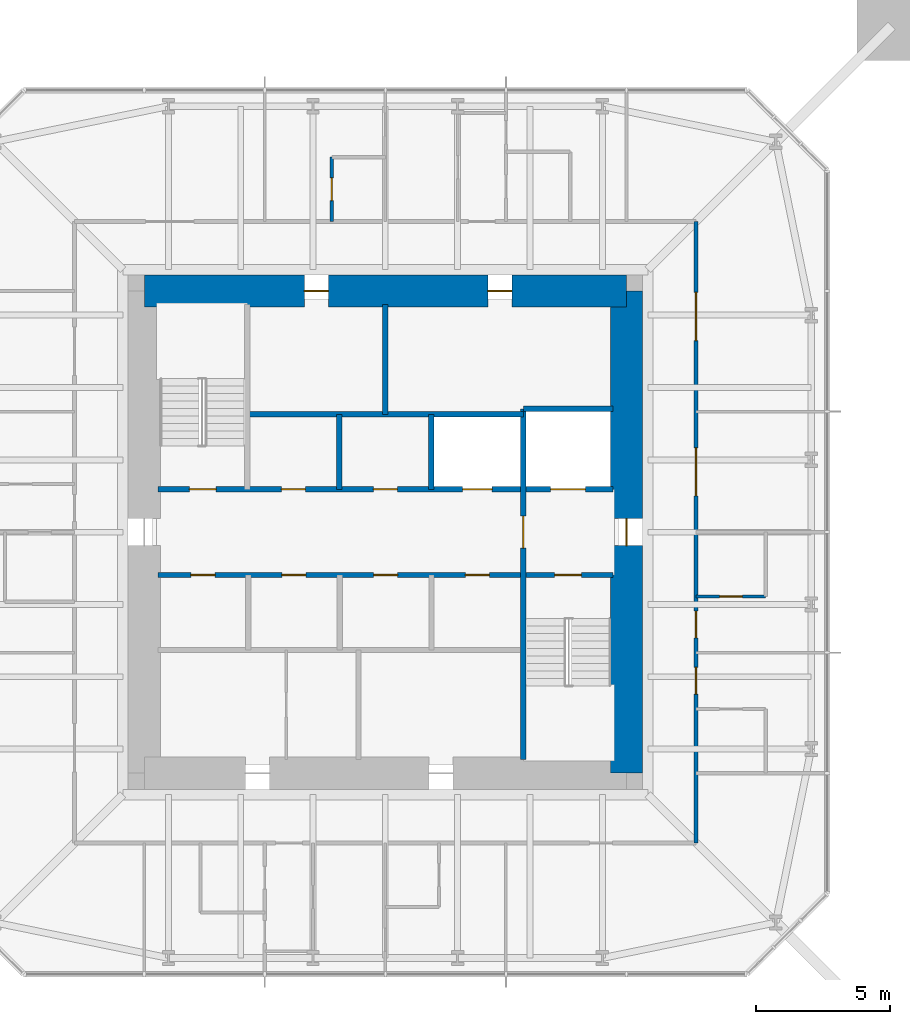
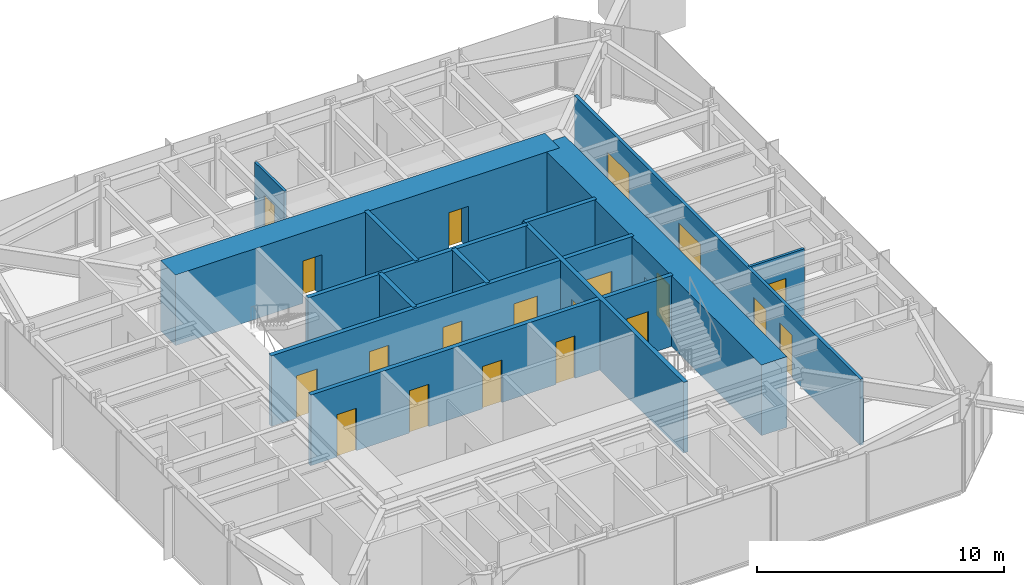
# One storey, part 7 of 9: 20 doors, 13 walls, 20 openings.
"""IFC4 building model written with IfcOpenShell, lengths in metres."""

from ifc_helpers import new_model, si_unit, direction, frame, frame_2d, origin, place, context, subcontext, project, spatial, rectangle, extrude, material, layer, layer_set, type_object, element, fill, save


model = new_model("IFC4")

# Units and contexts
model_context = context("Model", 3, precision=1e-05, world=origin(), true_north=direction((0.0, 1.0)))
body_context = subcontext(model_context, "Body", "Model", "MODEL_VIEW")
ifc_project = project(units=[si_unit("LENGTHUNIT", "METRE"), si_unit("AREAUNIT", "SQUARE_METRE"), si_unit("VOLUMEUNIT", "CUBIC_METRE"), si_unit("PLANEANGLEUNIT", "RADIAN"), si_unit("MASSUNIT", "GRAM", prefix="KILO")], contexts=[model_context])

# Site, building, storey
site_placement = place(None, origin())
site = spatial("IfcSite", under=ifc_project, at=site_placement, CompositionType="ELEMENT")
building_placement = place(site_placement, origin())
building = spatial("IfcBuilding", under=site, at=building_placement, Name="Iwan Alto Co-Living Towers", CompositionType="ELEMENT")
storey_placement = place(building_placement, frame((0.0, 0.0, 257.0)))
storey = spatial("IfcBuildingStorey", under=building, at=storey_placement, Name="L70", CompositionType="ELEMENT", Elevation=257.0)

# Wall, openings, doors
ifc_material_1 = material(Name="Gypsum board")
ifc_layer_1 = layer(ifc_material_1, 0.02490234375, Name="Board", Category="Finish")
ifc_material_2 = material(Name="Steel ASTM A1003 ST33H cold-formed studs", Category="steel")
ifc_layer_2 = layer(ifc_material_2, 0.10009765625, Name="Studs", Category="Framing")
ifc_layer_3 = layer(ifc_material_1, 0.02490234375, Name="Board", Category="Finish")
ifc_layer_set_1 = layer_set([ifc_layer_1, ifc_layer_2, ifc_layer_3], Name="CORRIDOR WALL 150")
wall_type_1 = type_object("IfcWallType", Name="CORRIDOR WALL 150", PredefinedType="PARTITIONING", material=ifc_layer_set_1)
wall_1_placement = place(storey_placement, frame((11.60009765625, -11.60009765625, 0.0), z_axis=(0.0, 0.0, 1.0), x_axis=(0.0, 1.0, 0.0)))
wall_1 = element("IfcWall", 1, at=wall_1_placement, inside=storey, type_object=wall_type_1, Name="Partition L70", PredefinedType="PARTITIONING", context=body_context, shape_type="SweptSolid", body=[
    extrude(rectangle(XDim=23.2001953125, YDim=0.14990234375, at=frame_2d((11.60009765625, 0.0))), origin(), (0.0, 0.0, 1.0), 3.27001953125),
])
opening_1_placement = place(wall_1_placement, frame((5.550048828125, 0.0, 0.0)))
opening_1 = element("IfcOpeningElement", 2, at=opening_1_placement, cuts=wall_1, Name="Opening D3", PredefinedType="OPENING", context=body_context, shape_type="SweptSolid", body=[
    extrude(rectangle(XDim=1.0, YDim=2.10009765625, at=frame_2d((0.5, 1.050048828125))), frame((0.0, 0.0849609375, 0.0), z_axis=(0.0, -1.0, 0.0), x_axis=(1.0, 0.0, 0.0)), (0.0, 0.0, 1.0), 0.169921875),
])
opening_2_placement = place(wall_1_placement, frame((7.64990234375, 0.0, 0.0)))
opening_2 = element("IfcOpeningElement", 3, at=opening_2_placement, cuts=wall_1, Name="Opening D3", PredefinedType="OPENING", context=body_context, shape_type="SweptSolid", body=[
    extrude(rectangle(XDim=1.0, YDim=2.10009765625, at=frame_2d((0.5, 1.050048828125))), frame((0.0, 0.0849609375, 0.0), z_axis=(0.0, -1.0, 0.0), x_axis=(1.0, 0.0, 0.0)), (0.0, 0.0, 1.0), 0.169921875),
])
opening_3_placement = place(wall_1_placement, frame((12.949951171875, 0.0, 0.0)))
opening_3 = element("IfcOpeningElement", 4, at=opening_3_placement, cuts=wall_1, Name="Opening D9", PredefinedType="OPENING", context=body_context, shape_type="SweptSolid", body=[
    extrude(rectangle(XDim=1.800048828125, YDim=2.10009765625, at=frame_2d((0.89990234375, 1.050048828125))), frame((0.0, 0.0849609375, 0.0), z_axis=(0.0, -1.0, 0.0), x_axis=(1.0, 0.0, 0.0)), (0.0, 0.0, 1.0), 0.169921875),
])
opening_4_placement = place(wall_1_placement, frame((18.75, 0.0, 0.0)))
opening_4 = element("IfcOpeningElement", 5, at=opening_4_placement, cuts=wall_1, Name="Opening D9", PredefinedType="OPENING", context=body_context, shape_type="SweptSolid", body=[
    extrude(rectangle(XDim=1.800048828125, YDim=2.10009765625, at=frame_2d((0.89990234375, 1.050048828125))), frame((0.0, 0.0849609375, 0.0), z_axis=(0.0, -1.0, 0.0), x_axis=(1.0, 0.0, 0.0)), (0.0, 0.0, 1.0), 0.169921875),
])
ifc_material_3 = material(Name="Steel frame with timber leaf", Category="steel")
door_type_1 = type_object("IfcDoorType", Name="FLAT ENTRANCE DOOR FD30S 1000X2100", OperationType="SINGLE_SWING_LEFT", PredefinedType="DOOR", material=ifc_material_3)
door_1_placement = place(opening_1_placement, frame((1.0, 0.0, 0.0), z_axis=(0.0, 0.0, 1.0), x_axis=(-1.0, 0.0, 0.0)))
door_1 = element("IfcDoor", 6, at=door_1_placement, inside=storey, type_object=door_type_1, Name="Studio door L70", OperationType="SINGLE_SWING_RIGHT", OverallHeight=2.10009765625, OverallWidth=1.0, PredefinedType="DOOR", context=body_context, shape_type="SweptSolid", body=[
    extrude(rectangle(XDim=1.0, YDim=2.10009765625, at=frame_2d((0.5, 1.050048828125))), frame((0.0, 0.02490234375, 0.0), z_axis=(0.0, -1.0, 0.0), x_axis=(1.0, 0.0, 0.0)), (0.0, 0.0, 1.0), 0.050048828125),
])
fill(opening_1, door_1)
door_2_placement = place(opening_2_placement, frame((1.0, 0.0, 0.0), z_axis=(0.0, 0.0, 1.0), x_axis=(-1.0, 0.0, 0.0)))
door_2 = element("IfcDoor", 7, at=door_2_placement, inside=storey, type_object=door_type_1, Name="Studio door L70", OperationType="SINGLE_SWING_RIGHT", OverallHeight=2.10009765625, OverallWidth=1.0, PredefinedType="DOOR", context=body_context, shape_type="SweptSolid", body=[
    extrude(rectangle(XDim=1.0, YDim=2.10009765625, at=frame_2d((0.5, 1.050048828125))), frame((0.0, 0.02490234375, 0.0), z_axis=(0.0, -1.0, 0.0), x_axis=(1.0, 0.0, 0.0)), (0.0, 0.0, 1.0), 0.050048828125),
])
fill(opening_2, door_2)
ifc_material_4 = material(Name="Steel frame with timber leaf", Category="steel")
door_type_2 = type_object("IfcDoorType", Name="LOUNGE DOOR FD30S 1800X2100", OperationType="DOUBLE_DOOR_SINGLE_SWING", PredefinedType="DOOR", material=ifc_material_4)
door_3_placement = place(opening_3_placement, frame((1.800048828125, 0.0, 0.0), z_axis=(0.0, 0.0, 1.0), x_axis=(-1.0, 0.0, 0.0)))
door_3 = element("IfcDoor", 8, at=door_3_placement, inside=storey, type_object=door_type_2, Name="Co-working room door L70", OperationType="DOUBLE_DOOR_SINGLE_SWING", OverallHeight=2.10009765625, OverallWidth=1.800048828125, PredefinedType="DOOR", context=body_context, shape_type="SweptSolid", body=[
    extrude(rectangle(XDim=1.800048828125, YDim=2.10009765625, at=frame_2d((0.89990234375, 1.050048828125))), frame((0.0, 0.02490234375, 0.0), z_axis=(0.0, -1.0, 0.0), x_axis=(1.0, 0.0, 0.0)), (0.0, 0.0, 1.0), 0.050048828125),
])
fill(opening_3, door_3)
door_4_placement = place(opening_4_placement, frame((1.800048828125, 0.0, 0.0), z_axis=(0.0, 0.0, 1.0), x_axis=(-1.0, 0.0, 0.0)))
door_4 = element("IfcDoor", 9, at=door_4_placement, inside=storey, type_object=door_type_2, Name="Courtyard lounge door L70", OperationType="DOUBLE_DOOR_SINGLE_SWING", OverallHeight=2.10009765625, OverallWidth=1.800048828125, PredefinedType="DOOR", context=body_context, shape_type="SweptSolid", body=[
    extrude(rectangle(XDim=1.800048828125, YDim=2.10009765625, at=frame_2d((0.89990234375, 1.050048828125))), frame((0.0, 0.02490234375, 0.0), z_axis=(0.0, -1.0, 0.0), x_axis=(1.0, 0.0, 0.0)), (0.0, 0.0, 1.0), 0.050048828125),
])
fill(opening_4, door_4)

ifc_material_5 = material(Name="Concrete f'c 70 MPa", Category="concrete")
ifc_layer_4 = layer(ifc_material_5, 0.199951171875)
ifc_layer_set_2 = layer_set([ifc_layer_4], Name="SHAFT WALL 200")
wall_type_2 = type_object("IfcWallType", Name="SHAFT WALL 200", PredefinedType="SOLIDWALL", material=ifc_layer_set_2)
wall_2_placement = place(storey_placement, frame((-8.489990234375, -1.60009765625, 0.0), z_axis=(0.0, 0.0, 1.0), x_axis=(1.0, 0.0, 0.0)))
wall_2 = element("IfcWall", 10, at=wall_2_placement, inside=storey, type_object=wall_type_2, Name="Shaft wall L70", PredefinedType="SOLIDWALL", context=body_context, shape_type="SweptSolid", body=[
    extrude(rectangle(XDim=16.97998046875, YDim=0.199951171875, at=frame_2d((8.489990234375, 0.0))), origin(), (0.0, 0.0, 1.0), 3.5),
])
opening_5_placement = place(wall_2_placement, frame((14.81005859375, 0.0, 0.0)))
opening_5 = element("IfcOpeningElement", 11, at=opening_5_placement, cuts=wall_2, Name="Opening D5", PredefinedType="OPENING", context=body_context, shape_type="SweptSolid", body=[
    extrude(rectangle(XDim=1.0, YDim=2.10009765625, at=frame_2d((0.5, 1.050048828125))), frame((0.0, 0.10986328125, 0.0), z_axis=(0.0, -1.0, 0.0), x_axis=(1.0, 0.0, 0.0)), (0.0, 0.0, 1.0), 0.219970703125),
])
opening_6_placement = place(wall_2_placement, frame((1.23193359375, 0.0, 0.0)))
opening_6 = element("IfcOpeningElement", 12, at=opening_6_placement, cuts=wall_2, Name="Opening D15", PredefinedType="OPENING", context=body_context, shape_type="SweptSolid", body=[
    extrude(rectangle(XDim=0.89990234375, YDim=2.10009765625, at=frame_2d((0.449951171875, 1.050048828125))), frame((0.0, 0.10986328125, 0.0), z_axis=(0.0, -1.0, 0.0), x_axis=(1.0, 0.0, 0.0)), (0.0, 0.0, 1.0), 0.219970703125),
])
opening_7_placement = place(wall_2_placement, frame((4.626953125, 0.0, 0.0)))
opening_7 = element("IfcOpeningElement", 13, at=opening_7_placement, cuts=wall_2, Name="Opening D15", PredefinedType="OPENING", context=body_context, shape_type="SweptSolid", body=[
    extrude(rectangle(XDim=0.89990234375, YDim=2.10009765625, at=frame_2d((0.449951171875, 1.050048828125))), frame((0.0, 0.10986328125, 0.0), z_axis=(0.0, -1.0, 0.0), x_axis=(1.0, 0.0, 0.0)), (0.0, 0.0, 1.0), 0.219970703125),
])
opening_8_placement = place(wall_2_placement, frame((8.052001953125, 0.0, 0.0)))
opening_8 = element("IfcOpeningElement", 14, at=opening_8_placement, cuts=wall_2, Name="Opening D15", PredefinedType="OPENING", context=body_context, shape_type="SweptSolid", body=[
    extrude(rectangle(XDim=0.89990234375, YDim=2.10009765625, at=frame_2d((0.449951171875, 1.050048828125))), frame((0.0, 0.10986328125, 0.0), z_axis=(0.0, -1.0, 0.0), x_axis=(1.0, 0.0, 0.0)), (0.0, 0.0, 1.0), 0.219970703125),
])
opening_9_placement = place(wall_2_placement, frame((11.47802734375, 0.0, 0.0)))
opening_9 = element("IfcOpeningElement", 15, at=opening_9_placement, cuts=wall_2, Name="Opening D15", PredefinedType="OPENING", context=body_context, shape_type="SweptSolid", body=[
    extrude(rectangle(XDim=0.89990234375, YDim=2.10009765625, at=frame_2d((0.449951171875, 1.050048828125))), frame((0.0, 0.10986328125, 0.0), z_axis=(0.0, -1.0, 0.0), x_axis=(1.0, 0.0, 0.0)), (0.0, 0.0, 1.0), 0.219970703125),
])
ifc_material_6 = material(Name="Steel frame with timber leaf", Category="steel")
door_type_3 = type_object("IfcDoorType", Name="CORE ROOM DOOR FD60S 900X2100", OperationType="SINGLE_SWING_LEFT", PredefinedType="DOOR", material=ifc_material_6)
door_5_placement = place(opening_6_placement, frame((0.89990234375, 0.0, 0.0), z_axis=(0.0, 0.0, 1.0), x_axis=(-1.0, 0.0, 0.0)))
door_5 = element("IfcDoor", 16, at=door_5_placement, inside=storey, type_object=door_type_3, Name="Linen store door L70", OperationType="SINGLE_SWING_LEFT", OverallHeight=2.10009765625, OverallWidth=0.89990234375, PredefinedType="DOOR", context=body_context, shape_type="SweptSolid", body=[
    extrude(rectangle(XDim=0.89990234375, YDim=2.10009765625, at=frame_2d((0.449951171875, 1.050048828125))), frame((0.0, 0.02490234375, 0.0), z_axis=(0.0, -1.0, 0.0), x_axis=(1.0, 0.0, 0.0)), (0.0, 0.0, 1.0), 0.050048828125),
])
fill(opening_6, door_5)
door_6_placement = place(opening_7_placement, frame((0.89990234375, 0.0, 0.0), z_axis=(0.0, 0.0, 1.0), x_axis=(-1.0, 0.0, 0.0)))
door_6 = element("IfcDoor", 17, at=door_6_placement, inside=storey, type_object=door_type_3, Name="Cleaner's store door L70", OperationType="SINGLE_SWING_RIGHT", OverallHeight=2.10009765625, OverallWidth=0.89990234375, PredefinedType="DOOR", context=body_context, shape_type="SweptSolid", body=[
    extrude(rectangle(XDim=0.89990234375, YDim=2.10009765625, at=frame_2d((0.449951171875, 1.050048828125))), frame((0.0, 0.02490234375, 0.0), z_axis=(0.0, -1.0, 0.0), x_axis=(1.0, 0.0, 0.0)), (0.0, 0.0, 1.0), 0.050048828125),
])
fill(opening_7, door_6)
door_7_placement = place(opening_8_placement, frame((0.89990234375, 0.0, 0.0), z_axis=(0.0, 0.0, 1.0), x_axis=(-1.0, 0.0, 0.0)))
door_7 = element("IfcDoor", 18, at=door_7_placement, inside=storey, type_object=door_type_3, Name="Guest pantry door L70", OperationType="SINGLE_SWING_RIGHT", OverallHeight=2.10009765625, OverallWidth=0.89990234375, PredefinedType="DOOR", context=body_context, shape_type="SweptSolid", body=[
    extrude(rectangle(XDim=0.89990234375, YDim=2.10009765625, at=frame_2d((0.449951171875, 1.050048828125))), frame((0.0, 0.02490234375, 0.0), z_axis=(0.0, -1.0, 0.0), x_axis=(1.0, 0.0, 0.0)), (0.0, 0.0, 1.0), 0.050048828125),
])
fill(opening_8, door_7)
door_8_placement = place(opening_9_placement, frame((0.89990234375, 0.0, 0.0), z_axis=(0.0, 0.0, 1.0), x_axis=(-1.0, 0.0, 0.0)))
door_8 = element("IfcDoor", 19, at=door_8_placement, inside=storey, type_object=door_type_3, Name="Staff WC door L70", OperationType="SINGLE_SWING_RIGHT", OverallHeight=2.10009765625, OverallWidth=0.89990234375, PredefinedType="DOOR", context=body_context, shape_type="SweptSolid", body=[
    extrude(rectangle(XDim=0.89990234375, YDim=2.10009765625, at=frame_2d((0.449951171875, 1.050048828125))), frame((0.0, 0.02490234375, 0.0), z_axis=(0.0, -1.0, 0.0), x_axis=(1.0, 0.0, 0.0)), (0.0, 0.0, 1.0), 0.050048828125),
])
fill(opening_9, door_8)
ifc_material_7 = material(Name="Steel frame with timber leaf", Category="steel")
door_type_4 = type_object("IfcDoorType", Name="STAIR DOOR FD120S 1000X2100", OperationType="SINGLE_SWING_LEFT", PredefinedType="DOOR", material=ifc_material_7)
door_9_placement = place(opening_5_placement, frame((1.0, 0.0, 0.0), z_axis=(0.0, 0.0, 1.0), x_axis=(-1.0, 0.0, 0.0)))
door_9 = element("IfcDoor", 20, at=door_9_placement, inside=storey, type_object=door_type_4, Name="Stair S2 door L70", OperationType="SINGLE_SWING_RIGHT", OverallHeight=2.10009765625, OverallWidth=1.0, PredefinedType="DOOR", context=body_context, shape_type="SweptSolid", body=[
    extrude(rectangle(XDim=1.0, YDim=2.10009765625, at=frame_2d((0.5, 1.050048828125))), frame((0.0, 0.02490234375, 0.0), z_axis=(0.0, -1.0, 0.0), x_axis=(1.0, 0.0, 0.0)), (0.0, 0.0, 1.0), 0.050048828125),
])
fill(opening_5, door_9)

wall_3_placement = place(storey_placement, frame((-8.489990234375, 1.60009765625, 0.0), z_axis=(0.0, 0.0, 1.0), x_axis=(1.0, 0.0, 0.0)))
wall_3 = element("IfcWall", 21, at=wall_3_placement, inside=storey, type_object=wall_type_2, Name="Shaft wall L70", PredefinedType="SOLIDWALL", context=body_context, shape_type="SweptSolid", body=[
    extrude(rectangle(XDim=16.97998046875, YDim=0.199951171875, at=frame_2d((8.489990234375, 0.0))), origin(), (0.0, 0.0, 1.0), 3.5),
])
opening_10_placement = place(wall_3_placement, frame((1.169921875, 0.0, 0.0)))
opening_10 = element("IfcOpeningElement", 22, at=opening_10_placement, cuts=wall_3, Name="Opening D5", PredefinedType="OPENING", context=body_context, shape_type="SweptSolid", body=[
    extrude(rectangle(XDim=1.0, YDim=2.10009765625, at=frame_2d((0.5, 1.050048828125))), frame((0.0, 0.10986328125, 0.0), z_axis=(0.0, -1.0, 0.0), x_axis=(1.0, 0.0, 0.0)), (0.0, 0.0, 1.0), 0.219970703125),
])
opening_11_placement = place(wall_3_placement, frame((4.60595703125, 0.0, 0.0)))
opening_11 = element("IfcOpeningElement", 23, at=opening_11_placement, cuts=wall_3, Name="Opening D15", PredefinedType="OPENING", context=body_context, shape_type="SweptSolid", body=[
    extrude(rectangle(XDim=0.89990234375, YDim=2.10009765625, at=frame_2d((0.449951171875, 1.050048828125))), frame((0.0, 0.10986328125, 0.0), z_axis=(0.0, -1.0, 0.0), x_axis=(1.0, 0.0, 0.0)), (0.0, 0.0, 1.0), 0.219970703125),
])
opening_12_placement = place(wall_3_placement, frame((8.0400390625, 0.0, 0.0)))
opening_12 = element("IfcOpeningElement", 24, at=opening_12_placement, cuts=wall_3, Name="Opening D15", PredefinedType="OPENING", context=body_context, shape_type="SweptSolid", body=[
    extrude(rectangle(XDim=0.89990234375, YDim=2.10009765625, at=frame_2d((0.449951171875, 1.050048828125))), frame((0.0, 0.10986328125, 0.0), z_axis=(0.0, -1.0, 0.0), x_axis=(1.0, 0.0, 0.0)), (0.0, 0.0, 1.0), 0.219970703125),
])
opening_13_placement = place(wall_3_placement, frame((11.3740234375, 0.0, 0.0)))
opening_13 = element("IfcOpeningElement", 25, at=opening_13_placement, cuts=wall_3, Name="Opening LD", PredefinedType="OPENING", context=body_context, shape_type="SweptSolid", body=[
    extrude(rectangle(XDim=1.10009765625, YDim=2.10009765625, at=frame_2d((0.550048828125, 1.050048828125))), frame((0.0, 0.10986328125, 0.0), z_axis=(0.0, -1.0, 0.0), x_axis=(1.0, 0.0, 0.0)), (0.0, 0.0, 1.0), 0.219970703125),
])
opening_14_placement = place(wall_3_placement, frame((14.659912109375, 0.0, 0.0)))
opening_14 = element("IfcOpeningElement", 26, at=opening_14_placement, cuts=wall_3, Name="Opening LD2", PredefinedType="OPENING", context=body_context, shape_type="SweptSolid", body=[
    extrude(rectangle(XDim=1.300048828125, YDim=2.10009765625, at=frame_2d((0.64990234375, 1.050048828125))), frame((0.0, 0.10986328125, 0.0), z_axis=(0.0, -1.0, 0.0), x_axis=(1.0, 0.0, 0.0)), (0.0, 0.0, 1.0), 0.219970703125),
])
door_10_placement = place(opening_11_placement, origin())
door_10 = element("IfcDoor", 27, at=door_10_placement, inside=storey, type_object=door_type_3, Name="Housekeeping store door L70", OperationType="SINGLE_SWING_LEFT", OverallHeight=2.10009765625, OverallWidth=0.89990234375, PredefinedType="DOOR", context=body_context, shape_type="SweptSolid", body=[
    extrude(rectangle(XDim=0.89990234375, YDim=2.10009765625, at=frame_2d((0.449951171875, 1.050048828125))), frame((0.0, 0.02490234375, 0.0), z_axis=(0.0, -1.0, 0.0), x_axis=(1.0, 0.0, 0.0)), (0.0, 0.0, 1.0), 0.050048828125),
])
fill(opening_11, door_10)
door_11_placement = place(opening_12_placement, origin())
door_11 = element("IfcDoor", 28, at=door_11_placement, inside=storey, type_object=door_type_3, Name="Comms room door L70", OperationType="SINGLE_SWING_LEFT", OverallHeight=2.10009765625, OverallWidth=0.89990234375, PredefinedType="DOOR", context=body_context, shape_type="SweptSolid", body=[
    extrude(rectangle(XDim=0.89990234375, YDim=2.10009765625, at=frame_2d((0.449951171875, 1.050048828125))), frame((0.0, 0.02490234375, 0.0), z_axis=(0.0, -1.0, 0.0), x_axis=(1.0, 0.0, 0.0)), (0.0, 0.0, 1.0), 0.050048828125),
])
fill(opening_12, door_11)
ifc_material_8 = material(Name="Steel frame with timber leaf", Category="steel")
door_type_5 = type_object("IfcDoorType", Name="LIFT LANDING DOOR 1100X2100", OperationType="DOUBLE_DOOR_SLIDING", PredefinedType="DOOR", material=ifc_material_8)
door_12_placement = place(opening_13_placement, origin())
door_12 = element("IfcDoor", 29, at=door_12_placement, inside=storey, type_object=door_type_5, Name="Lift P4-3 landing door L70", OperationType="DOUBLE_DOOR_SLIDING", OverallHeight=2.10009765625, OverallWidth=1.10009765625, PredefinedType="DOOR", context=body_context, shape_type="SweptSolid", body=[
    extrude(rectangle(XDim=1.10009765625, YDim=2.10009765625, at=frame_2d((0.550048828125, 1.050048828125))), frame((0.0, 0.02490234375, 0.0), z_axis=(0.0, -1.0, 0.0), x_axis=(1.0, 0.0, 0.0)), (0.0, 0.0, 1.0), 0.050048828125),
])
fill(opening_13, door_12)
ifc_material_9 = material(Name="Steel frame with timber leaf", Category="steel")
door_type_6 = type_object("IfcDoorType", Name="LIFT LANDING DOOR 1300X2100", OperationType="SLIDING_TO_LEFT", PredefinedType="DOOR", material=ifc_material_9)
door_13_placement = place(opening_14_placement, origin())
door_13 = element("IfcDoor", 30, at=door_13_placement, inside=storey, type_object=door_type_6, Name="Lift FL1 landing door L70", OperationType="SLIDING_TO_LEFT", OverallHeight=2.10009765625, OverallWidth=1.300048828125, PredefinedType="DOOR", context=body_context, shape_type="SweptSolid", body=[
    extrude(rectangle(XDim=1.300048828125, YDim=2.10009765625, at=frame_2d((0.64990234375, 1.050048828125))), frame((0.0, 0.02490234375, 0.0), z_axis=(0.0, -1.0, 0.0), x_axis=(1.0, 0.0, 0.0)), (0.0, 0.0, 1.0), 0.050048828125),
])
fill(opening_14, door_13)
door_14_placement = place(opening_10_placement, origin())
door_14 = element("IfcDoor", 31, at=door_14_placement, inside=storey, type_object=door_type_4, Name="Stair S1 door L70", OperationType="SINGLE_SWING_RIGHT", OverallHeight=2.10009765625, OverallWidth=1.0, PredefinedType="DOOR", context=body_context, shape_type="SweptSolid", body=[
    extrude(rectangle(XDim=1.0, YDim=2.10009765625, at=frame_2d((0.5, 1.050048828125))), frame((0.0, 0.02490234375, 0.0), z_axis=(0.0, -1.0, 0.0), x_axis=(1.0, 0.0, 0.0)), (0.0, 0.0, 1.0), 0.050048828125),
])
fill(opening_10, door_14)

# Walls
wall_4_placement = place(storey_placement, frame((-5.14990234375, 4.39990234375, 0.0), z_axis=(0.0, 0.0, 1.0), x_axis=(1.0, 0.0, 0.0)))
element("IfcWall", 32, at=wall_4_placement, inside=storey, type_object=wall_type_2, Name="Shaft wall L70", PredefinedType="SOLIDWALL", context=body_context, shape_type="SweptSolid", body=[
    extrude(rectangle(XDim=10.2998046875, YDim=0.199951171875, at=frame_2d((5.14990234375, 0.0))), origin(), (0.0, 0.0, 1.0), 3.5),
])
wall_5_placement = place(storey_placement, frame((5.14990234375, 4.60009765625, 0.0), z_axis=(0.0, 0.0, 1.0), x_axis=(1.0, 0.0, 0.0)))
element("IfcWall", 33, at=wall_5_placement, inside=storey, type_object=wall_type_2, Name="Shaft wall L70", PredefinedType="SOLIDWALL", context=body_context, shape_type="SweptSolid", body=[
    extrude(rectangle(XDim=3.340087890625, YDim=0.199951171875, at=frame_2d((1.669921875, 0.0))), origin(), (0.0, 0.0, 1.0), 3.5),
])

# Wall, opening, door
wall_6_placement = place(storey_placement, frame((5.14990234375, -8.489990234375, 0.0), z_axis=(0.0, 0.0, 1.0), x_axis=(0.0, 1.0, 0.0)))
wall_6 = element("IfcWall", 34, at=wall_6_placement, inside=storey, type_object=wall_type_2, Name="Shaft wall L70", PredefinedType="SOLIDWALL", context=body_context, shape_type="SweptSolid", body=[
    extrude(rectangle(XDim=13.090087890625, YDim=0.199951171875, at=frame_2d((6.544921875, 0.0))), origin(), (0.0, 0.0, 1.0), 3.5),
])
opening_15_placement = place(wall_6_placement, frame((7.889892578125, 0.0, 0.0)))
opening_15 = element("IfcOpeningElement", 35, at=opening_15_placement, cuts=wall_6, Name="Opening D6", PredefinedType="OPENING", context=body_context, shape_type="SweptSolid", body=[
    extrude(rectangle(XDim=1.199951171875, YDim=2.10009765625, at=frame_2d((0.60009765625, 1.050048828125))), frame((0.0, 0.10986328125, 0.0), z_axis=(0.0, -1.0, 0.0), x_axis=(1.0, 0.0, 0.0)), (0.0, 0.0, 1.0), 0.219970703125),
])
ifc_material_10 = material(Name="Steel frame with timber leaf", Category="steel")
door_type_7 = type_object("IfcDoorType", Name="LOBBY DOOR FD120S 1200X2100", OperationType="SINGLE_SWING_LEFT", PredefinedType="DOOR", material=ifc_material_10)
door_15_placement = place(opening_15_placement, frame((1.199951171875, 0.0, 0.0), z_axis=(0.0, 0.0, 1.0), x_axis=(-1.0, 0.0, 0.0)))
door_15 = element("IfcDoor", 36, at=door_15_placement, inside=storey, type_object=door_type_7, Name="Firefighting lobby door L70", OperationType="SINGLE_SWING_RIGHT", OverallHeight=2.10009765625, OverallWidth=1.199951171875, PredefinedType="DOOR", context=body_context, shape_type="SweptSolid", body=[
    extrude(rectangle(XDim=1.199951171875, YDim=2.10009765625, at=frame_2d((0.60009765625, 1.050048828125))), frame((0.0, 0.02490234375, 0.0), z_axis=(0.0, -1.0, 0.0), x_axis=(1.0, 0.0, 0.0)), (0.0, 0.0, 1.0), 0.050048828125),
])
fill(opening_15, door_15)

# Walls
wall_7_placement = place(storey_placement, frame((1.717041015625, 1.60009765625, 0.0), z_axis=(0.0, 0.0, 1.0), x_axis=(0.0, 1.0, 0.0)))
element("IfcWall", 37, at=wall_7_placement, inside=storey, type_object=wall_type_2, Name="Shaft wall L70", PredefinedType="SOLIDWALL", context=body_context, shape_type="SweptSolid", body=[
    extrude(rectangle(XDim=2.7998046875, YDim=0.199951171875, at=frame_2d((1.39990234375, 0.0))), origin(), (0.0, 0.0, 1.0), 3.5),
])
wall_8_placement = place(storey_placement, frame((0.0, 4.39990234375, 0.0), z_axis=(0.0, 0.0, 1.0), x_axis=(0.0, 1.0, 0.0)))
element("IfcWall", 38, at=wall_8_placement, inside=storey, type_object=wall_type_2, Name="Shaft wall L70", PredefinedType="SOLIDWALL", context=body_context, shape_type="SweptSolid", body=[
    extrude(rectangle(XDim=4.090087890625, YDim=0.199951171875, at=frame_2d((2.044921875, 0.0))), origin(), (0.0, 0.0, 1.0), 3.5),
])
wall_9_placement = place(storey_placement, frame((-1.717041015625, 1.60009765625, 0.0), z_axis=(0.0, 0.0, 1.0), x_axis=(0.0, 1.0, 0.0)))
element("IfcWall", 39, at=wall_9_placement, inside=storey, type_object=wall_type_2, Name="Shaft wall L70", PredefinedType="SOLIDWALL", context=body_context, shape_type="SweptSolid", body=[
    extrude(rectangle(XDim=2.7998046875, YDim=0.199951171875, at=frame_2d((1.39990234375, 0.0))), origin(), (0.0, 0.0, 1.0), 3.5),
])

# Wall, openings, doors
ifc_material_11 = material(Name="Concrete f'c 70 MPa", Category="concrete")
ifc_layer_5 = layer(ifc_material_11, 1.199951171875)
ifc_layer_set_3 = layer_set([ifc_layer_5], Name="T1 CORE WALL 1200")
wall_type_3 = type_object("IfcWallType", Name="T1 CORE WALL 1200", PredefinedType="SHEAR", material=ifc_layer_set_3)
wall_10_placement = place(storey_placement, frame((9.0, 9.0, 0.0), z_axis=(0.0, 0.0, 1.0), x_axis=(-1.0, 0.0, 0.0)))
wall_10 = element("IfcWall", 40, at=wall_10_placement, inside=storey, type_object=wall_type_3, Name="T1 core wall N L70", PredefinedType="SHEAR", context=body_context, shape_type="SweptSolid", body=[
    extrude(rectangle(XDim=18.0, YDim=1.199951171875, at=frame_2d((9.0, 0.0))), origin(), (0.0, 0.0, 1.0), 3.5),
])
opening_16_placement = place(wall_10_placement, frame((11.125, 0.0, 0.0)))
opening_16 = element("IfcOpeningElement", 41, at=opening_16_placement, cuts=wall_10, Name="Opening D8", PredefinedType="OPENING", context=body_context, shape_type="SweptSolid", body=[
    extrude(rectangle(XDim=0.89990234375, YDim=2.10009765625, at=frame_2d((0.449951171875, 1.050048828125))), frame((0.0, 0.60986328125, 0.0), z_axis=(0.0, -1.0, 0.0), x_axis=(1.0, 0.0, 0.0)), (0.0, 0.0, 1.0), 1.219970703125),
])
opening_17_placement = place(wall_10_placement, frame((4.27490234375, 0.0, 0.0)))
opening_17 = element("IfcOpeningElement", 42, at=opening_17_placement, cuts=wall_10, Name="Opening D8", PredefinedType="OPENING", context=body_context, shape_type="SweptSolid", body=[
    extrude(rectangle(XDim=0.89990234375, YDim=2.10009765625, at=frame_2d((0.449951171875, 1.050048828125))), frame((0.0, 0.60986328125, 0.0), z_axis=(0.0, -1.0, 0.0), x_axis=(1.0, 0.0, 0.0)), (0.0, 0.0, 1.0), 1.219970703125),
])
ifc_material_12 = material(Name="Steel frame with timber leaf", Category="steel")
door_type_8 = type_object("IfcDoorType", Name="RISER DOOR FD120 900X2100", OperationType="SINGLE_SWING_LEFT", PredefinedType="DOOR", material=ifc_material_12)
door_16_placement = place(opening_16_placement, origin())
door_16 = element("IfcDoor", 43, at=door_16_placement, inside=storey, type_object=door_type_8, Name="Electrical riser core door L70", OperationType="SINGLE_SWING_RIGHT", OverallHeight=2.10009765625, OverallWidth=0.89990234375, PredefinedType="DOOR", context=body_context, shape_type="SweptSolid", body=[
    extrude(rectangle(XDim=0.89990234375, YDim=2.10009765625, at=frame_2d((0.449951171875, 1.050048828125))), frame((0.0, 0.02490234375, 0.0), z_axis=(0.0, -1.0, 0.0), x_axis=(1.0, 0.0, 0.0)), (0.0, 0.0, 1.0), 0.050048828125),
])
fill(opening_16, door_16)
door_17_placement = place(opening_17_placement, origin())
door_17 = element("IfcDoor", 44, at=door_17_placement, inside=storey, type_object=door_type_8, Name="Water and drainage riser core door L70", OperationType="SINGLE_SWING_RIGHT", OverallHeight=2.10009765625, OverallWidth=0.89990234375, PredefinedType="DOOR", context=body_context, shape_type="SweptSolid", body=[
    extrude(rectangle(XDim=0.89990234375, YDim=2.10009765625, at=frame_2d((0.449951171875, 1.050048828125))), frame((0.0, 0.02490234375, 0.0), z_axis=(0.0, -1.0, 0.0), x_axis=(1.0, 0.0, 0.0)), (0.0, 0.0, 1.0), 0.050048828125),
])
fill(opening_17, door_17)

# Wall, opening, door
wall_11_placement = place(storey_placement, frame((9.0, -9.0, 0.0), z_axis=(0.0, 0.0, 1.0), x_axis=(0.0, 1.0, 0.0)))
wall_11 = element("IfcWall", 45, at=wall_11_placement, inside=storey, type_object=wall_type_3, Name="T1 core wall E L70", PredefinedType="SHEAR", context=body_context, shape_type="SweptSolid", body=[
    extrude(rectangle(XDim=18.0, YDim=1.199951171875, at=frame_2d((9.0, 0.0))), origin(), (0.0, 0.0, 1.0), 3.5),
])
opening_18_placement = place(wall_11_placement, frame((8.5, 0.0, 0.0)))
opening_18 = element("IfcOpeningElement", 46, at=opening_18_placement, cuts=wall_11, Name="Opening D7", PredefinedType="OPENING", context=body_context, shape_type="SweptSolid", body=[
    extrude(rectangle(XDim=1.0, YDim=2.10009765625, at=frame_2d((0.5, 1.050048828125))), frame((0.0, 0.60986328125, 0.0), z_axis=(0.0, -1.0, 0.0), x_axis=(1.0, 0.0, 0.0)), (0.0, 0.0, 1.0), 1.219970703125),
])
ifc_material_13 = material(Name="Steel frame with timber leaf", Category="steel")
door_type_9 = type_object("IfcDoorType", Name="CORE DOOR FD120S 1000X2100", OperationType="SINGLE_SWING_LEFT", PredefinedType="DOOR", material=ifc_material_13)
door_18_placement = place(opening_18_placement, origin())
door_18 = element("IfcDoor", 47, at=door_18_placement, inside=storey, type_object=door_type_9, Name="Firefighting lobby core door L70", OperationType="SINGLE_SWING_LEFT", OverallHeight=2.10009765625, OverallWidth=1.0, PredefinedType="DOOR", context=body_context, shape_type="SweptSolid", body=[
    extrude(rectangle(XDim=1.0, YDim=2.10009765625, at=frame_2d((0.5, 1.050048828125))), frame((0.0, 0.02490234375, 0.0), z_axis=(0.0, -1.0, 0.0), x_axis=(1.0, 0.0, 0.0)), (0.0, 0.0, 1.0), 0.050048828125),
])
fill(opening_18, door_18)

ifc_material_14 = material(Name="Cement board")
ifc_layer_6 = layer(ifc_material_14, 0.012451171875, Name="Board", Category="Finish")
ifc_layer_7 = layer(ifc_material_2, 0.094970703125, Name="Studs", Category="Framing")
ifc_layer_8 = layer(ifc_material_14, 0.012451171875, Name="Board", Category="Finish")
ifc_layer_set_4 = layer_set([ifc_layer_6, ifc_layer_7, ifc_layer_8], Name="WET AREA PARTITION 120")
wall_type_4 = type_object("IfcWallType", Name="WET AREA PARTITION 120", PredefinedType="PARTITIONING", material=ifc_layer_set_4)
wall_12_placement = place(storey_placement, frame((11.60009765625, -2.39990234375, 0.0), z_axis=(0.0, 0.0, 1.0), x_axis=(1.0, 0.0, 0.0)))
wall_12 = element("IfcWall", 48, at=wall_12_placement, inside=storey, type_object=wall_type_4, Name="Partition L70", PredefinedType="PARTITIONING", context=body_context, shape_type="SweptSolid", body=[
    extrude(rectangle(XDim=2.599853515625, YDim=0.1201171875, at=frame_2d((1.2998046875, 0.0))), origin(), (0.0, 0.0, 1.0), 3.27001953125),
])
opening_19_placement = place(wall_12_placement, frame((0.875, 0.0, 0.0)))
opening_19 = element("IfcOpeningElement", 49, at=opening_19_placement, cuts=wall_12, Name="Opening D2", PredefinedType="OPENING", context=body_context, shape_type="SweptSolid", body=[
    extrude(rectangle(XDim=0.85009765625, YDim=2.10009765625, at=frame_2d((0.425048828125, 1.050048828125))), frame((0.0, 0.070068359375, 0.0), z_axis=(0.0, -1.0, 0.0), x_axis=(1.0, 0.0, 0.0)), (0.0, 0.0, 1.0), 0.14013671875),
])
ifc_material_15 = material(Name="Timber leaf in steel frame", Category="steel")
door_type_10 = type_object("IfcDoorType", Name="ROOM DOOR 850X2100", OperationType="SINGLE_SWING_LEFT", PredefinedType="DOOR", material=ifc_material_15)
door_19_placement = place(opening_19_placement, frame((0.85009765625, 0.0, 0.0), z_axis=(0.0, 0.0, 1.0), x_axis=(-1.0, 0.0, 0.0)))
door_19 = element("IfcDoor", 50, at=door_19_placement, inside=storey, type_object=door_type_10, Name="En-suite shower room door L70", OperationType="SINGLE_SWING_RIGHT", OverallHeight=2.10009765625, OverallWidth=0.85009765625, PredefinedType="DOOR", context=body_context, shape_type="SweptSolid", body=[
    extrude(rectangle(XDim=0.85009765625, YDim=2.10009765625, at=frame_2d((0.425048828125, 1.050048828125))), frame((0.0, 0.02490234375, 0.0), z_axis=(0.0, -1.0, 0.0), x_axis=(1.0, 0.0, 0.0)), (0.0, 0.0, 1.0), 0.050048828125),
])
fill(opening_19, door_19)

wall_13_placement = place(storey_placement, frame((-2.0, 11.60009765625, 0.0), z_axis=(0.0, 0.0, 1.0), x_axis=(0.0, 1.0, 0.0)))
wall_13 = element("IfcWall", 51, at=wall_13_placement, inside=storey, type_object=wall_type_4, Name="Partition L70", PredefinedType="PARTITIONING", context=body_context, shape_type="SweptSolid", body=[
    extrude(rectangle(XDim=2.39990234375, YDim=0.1201171875, at=frame_2d((1.199951171875, 0.0))), origin(), (0.0, 0.0, 1.0), 3.27001953125),
])
opening_20_placement = place(wall_13_placement, frame((0.77490234375, 0.0, 0.0)))
opening_20 = element("IfcOpeningElement", 52, at=opening_20_placement, cuts=wall_13, Name="Opening D2", PredefinedType="OPENING", context=body_context, shape_type="SweptSolid", body=[
    extrude(rectangle(XDim=0.85009765625, YDim=2.10009765625, at=frame_2d((0.425048828125, 1.050048828125))), frame((0.0, 0.070068359375, 0.0), z_axis=(0.0, -1.0, 0.0), x_axis=(1.0, 0.0, 0.0)), (0.0, 0.0, 1.0), 0.14013671875),
])
door_20_placement = place(opening_20_placement, origin())
door_20 = element("IfcDoor", 53, at=door_20_placement, inside=storey, type_object=door_type_10, Name="En-suite shower room door L70", OperationType="SINGLE_SWING_LEFT", OverallHeight=2.10009765625, OverallWidth=0.85009765625, PredefinedType="DOOR", context=body_context, shape_type="SweptSolid", body=[
    extrude(rectangle(XDim=0.85009765625, YDim=2.10009765625, at=frame_2d((0.425048828125, 1.050048828125))), frame((0.0, 0.02490234375, 0.0), z_axis=(0.0, -1.0, 0.0), x_axis=(1.0, 0.0, 0.0)), (0.0, 0.0, 1.0), 0.050048828125),
])
fill(opening_20, door_20)

save(model, "model.ifc")
